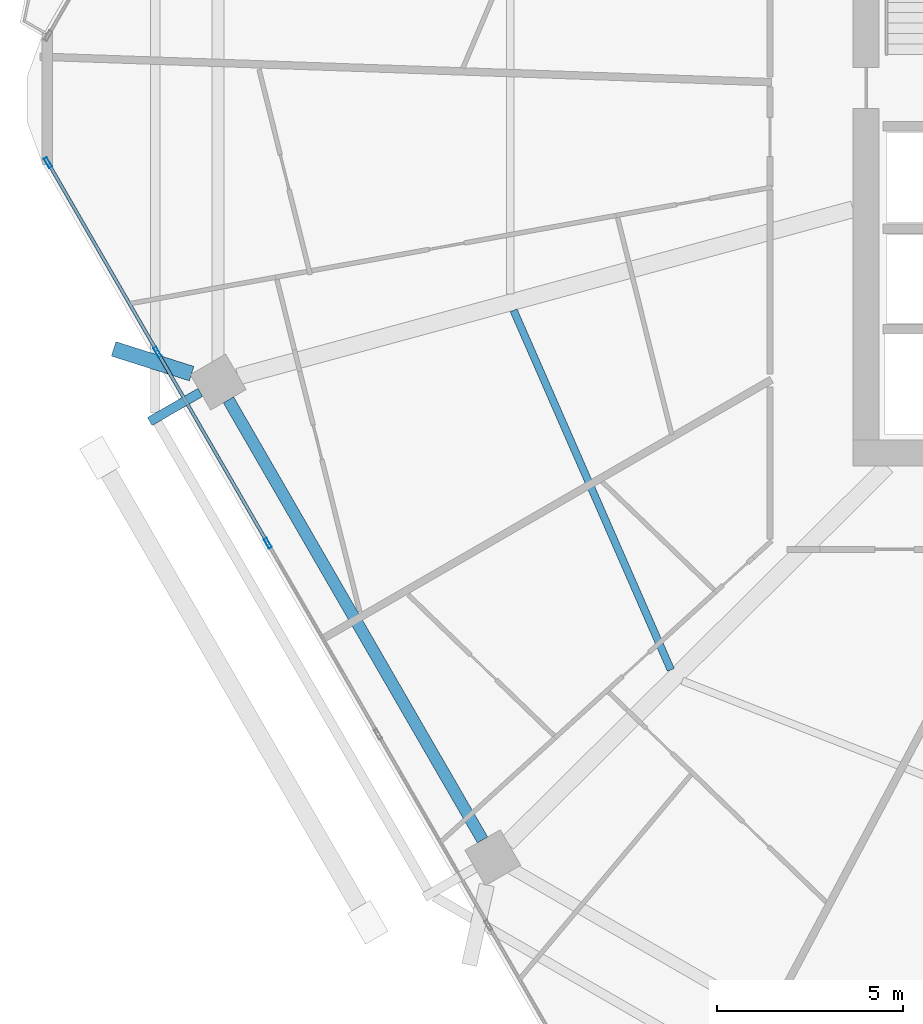
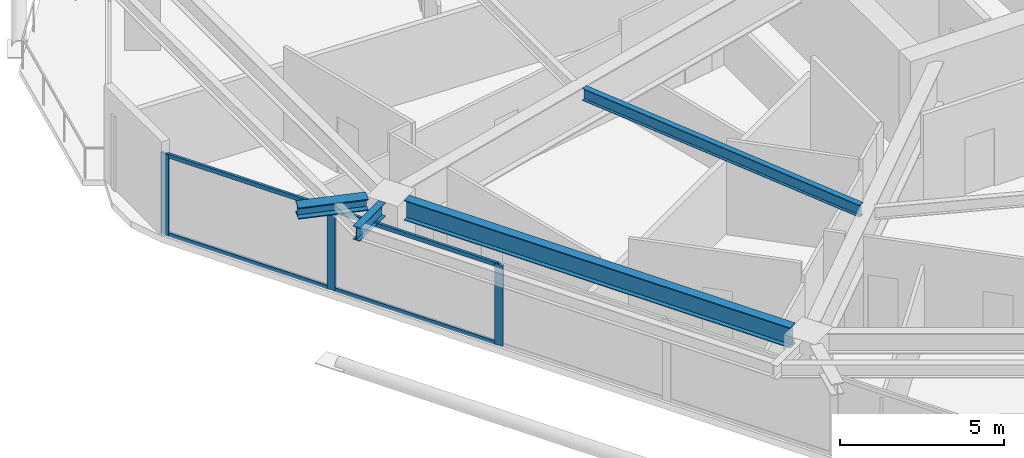
# One storey, part 5 of 33: 7 members, 4 beams, 1 element without a shape of its own.
"""IFC4 building model written with IfcOpenShell, lengths in metres."""

from ifc_helpers import new_model, si_unit, direction, frame, origin, origin_2d, place, context, subcontext, project, spatial, hollow_rectangle, i_section, extrude, material, material_profile, profile_set, type_object, element, aggregate, save


model = new_model("IFC4")

# Units and contexts
model_context = context("Model", 3, precision=1e-05, world=origin(), true_north=direction((0.0, 1.0)))
body_context = subcontext(model_context, "Body", "Model", "MODEL_VIEW")
ifc_project = project(units=[si_unit("LENGTHUNIT", "METRE"), si_unit("AREAUNIT", "SQUARE_METRE"), si_unit("VOLUMEUNIT", "CUBIC_METRE"), si_unit("PLANEANGLEUNIT", "RADIAN"), si_unit("MASSUNIT", "GRAM", prefix="KILO")], contexts=[model_context])

# Site, building, storey
site_placement = place(None, origin())
site = spatial("IfcSite", under=ifc_project, at=site_placement, CompositionType="ELEMENT")
building_placement = place(site_placement, origin())
building = spatial("IfcBuilding", under=site, at=building_placement, Name="Zuhravey Tower", CompositionType="ELEMENT")
storey_placement = place(building_placement, frame((0.0, 0.0, 141.800048828125)))
storey = spatial("IfcBuildingStorey", under=building, at=storey_placement, Name="L35", CompositionType="ELEMENT", Elevation=141.800048828125)

# Curtain wall, members
ifc_material_1 = material(Name="Thermally broken anodised aluminium", Category="aluminium")
curtain_wall_type = type_object("IfcCurtainWallType", Name="Zone 1-2 Residential Curtain Wall CW3", PredefinedType="NOTDEFINED", material=ifc_material_1)
curtain_wall_placement = place(storey_placement, origin())
curtain_wall = element("IfcCurtainWall", 1, at=curtain_wall_placement, inside=storey, type_object=curtain_wall_type, Name="L35 CW3 CW-L35-F4-1", PredefinedType="NOTDEFINED")
ifc_material_2 = material(Name="Anodised aluminium", Category="aluminium")
ifc_material_profile_1 = material_profile(ifc_material_2, hollow_rectangle(XDim=0.090087890625, YDim=0.284912109375, WallThickness=0.0048828125, at=origin_2d()), Name="ALU-RHS-90x285x5")
ifc_profile_set_1 = profile_set([ifc_material_profile_1], Name="Anodised aluminium")
member_type_1 = type_object("IfcMemberType", Name="Curtain-Wall Mullion 90x180", PredefinedType="MULLION", material=ifc_profile_set_1)
member_1_placement = place(storey_placement, frame((9.44140625, 20.083984375, 0.0), z_axis=(0.0, 0.0, 1.0), x_axis=(-0.86602552265, -0.499999794119, 0.0)))
member_1 = element("IfcMember", 2, at=member_1_placement, type_object=member_type_1, Name="CW3 mullion 4", PredefinedType="MULLION", context=body_context, shape_type="SweptSolid", body=[
    extrude(hollow_rectangle(XDim=0.090087890625, YDim=0.284912109375, WallThickness=0.0048828125, at=origin_2d()), origin(), (0.0, 0.0, 1.0), 3.02001953125),
])
member_2_placement = place(storey_placement, frame((6.4814453125, 25.210693359375, 0.0), z_axis=(0.0, 0.0, 1.0), x_axis=(-0.86602552265, -0.499999794119, 0.0)))
member_2 = element("IfcMember", 3, at=member_2_placement, type_object=member_type_1, Name="CW3 mullion 5", PredefinedType="MULLION", context=body_context, shape_type="SweptSolid", body=[
    extrude(hollow_rectangle(XDim=0.090087890625, YDim=0.284912109375, WallThickness=0.0048828125, at=origin_2d()), origin(), (0.0, 0.0, 1.0), 3.02001953125),
])
member_3_placement = place(storey_placement, frame((3.5439453125, 30.298583984375, 0.0), z_axis=(0.0, 0.0, 1.0), x_axis=(-0.86602552265, -0.499999794119, 0.0)))
member_3 = element("IfcMember", 4, at=member_3_placement, type_object=member_type_1, Name="CW3 mullion 6", PredefinedType="MULLION", context=body_context, shape_type="SweptSolid", body=[
    extrude(hollow_rectangle(XDim=0.090087890625, YDim=0.284912109375, WallThickness=0.0048828125, at=origin_2d()), origin(), (0.0, 0.0, 1.0), 3.02001953125),
])
ifc_material_profile_2 = material_profile(ifc_material_2, hollow_rectangle(XDim=0.090087890625, YDim=0.14990234375, WallThickness=0.0048828125, at=origin_2d()), Name="ALU-RHS-90x150x5")
ifc_profile_set_2 = profile_set([ifc_material_profile_2], Name="Anodised aluminium")
member_type_2 = type_object("IfcMemberType", Name="Curtain-Wall Transom 90x150", PredefinedType="USERDEFINED", material=ifc_profile_set_2)
member_4_placement = place(storey_placement, frame((9.418701171875, 20.123046875, 0.044921875), z_axis=(-0.499981042766, 0.866036348472, 0.0), x_axis=(-0.866036348472, -0.499981042766, 0.0)))
member_4 = element("IfcMember", 5, at=member_4_placement, type_object=member_type_2, Name="CW3 transom 4.1", ObjectType="TRANSOM", PredefinedType="USERDEFINED", context=body_context, shape_type="SweptSolid", body=[
    extrude(hollow_rectangle(XDim=0.090087890625, YDim=0.14990234375, WallThickness=0.0048828125, at=origin_2d()), origin(), (0.0, 0.0, 1.0), 5.829833984375),
])
member_5_placement = place(storey_placement, frame((9.418701171875, 20.123046875, 2.974853515625), z_axis=(-0.499981042766, 0.866036348472, 0.0), x_axis=(-0.866036348472, -0.499981042766, 0.0)))
member_5 = element("IfcMember", 6, at=member_5_placement, type_object=member_type_2, Name="CW3 transom 4.2", ObjectType="TRANSOM", PredefinedType="USERDEFINED", context=body_context, shape_type="SweptSolid", body=[
    extrude(hollow_rectangle(XDim=0.090087890625, YDim=0.14990234375, WallThickness=0.0048828125, at=origin_2d()), origin(), (0.0, 0.0, 1.0), 5.829833984375),
])
member_6_placement = place(storey_placement, frame((6.458984375, 25.249755859375, 0.044921875), z_axis=(-0.500024450573, 0.866011286779, 0.0), x_axis=(-0.866011286779, -0.500024450573, 0.0)))
member_6 = element("IfcMember", 7, at=member_6_placement, type_object=member_type_2, Name="CW3 transom 5.1", ObjectType="TRANSOM", PredefinedType="USERDEFINED", context=body_context, shape_type="SweptSolid", body=[
    extrude(hollow_rectangle(XDim=0.090087890625, YDim=0.14990234375, WallThickness=0.0048828125, at=origin_2d()), origin(), (0.0, 0.0, 1.0), 5.784912109375),
])
member_7_placement = place(storey_placement, frame((6.458984375, 25.249755859375, 2.974853515625), z_axis=(-0.500024450573, 0.866011286779, 0.0), x_axis=(-0.866011286779, -0.500024450573, 0.0)))
member_7 = element("IfcMember", 8, at=member_7_placement, type_object=member_type_2, Name="CW3 transom 5.2", ObjectType="TRANSOM", PredefinedType="USERDEFINED", context=body_context, shape_type="SweptSolid", body=[
    extrude(hollow_rectangle(XDim=0.090087890625, YDim=0.14990234375, WallThickness=0.0048828125, at=origin_2d()), origin(), (0.0, 0.0, 1.0), 5.784912109375),
])
aggregate(curtain_wall, [member_1, member_2, member_3, member_4, member_5, member_6, member_7])

# Beams
ifc_material_3 = material(Name="Steel SM460", Category="steel")
ifc_material_profile_3 = material_profile(ifc_material_3, i_section(OverallWidth=0.406982421875, OverallDepth=0.427978515625, WebThickness=0.02001953125, FlangeThickness=0.034912109375, at=origin_2d()), Name="H-428x407x20x35")
ifc_profile_set_3 = profile_set([ifc_material_profile_3], Name="Steel SM460")
beam_type_1 = type_object("IfcBeamType", Name="Exoskeleton Node Tie Beam H428x407", PredefinedType="BEAM", material=ifc_profile_set_3)
beam_1_placement = place(storey_placement, frame((7.397216796875, 24.634765625, 3.305908203125), z_axis=(-0.953124267145, 0.302579132427, 0.0), x_axis=(-0.302579132427, -0.953124267145, 0.0)))
element("IfcBeam", 9, at=beam_1_placement, inside=storey, type_object=beam_type_1, Name="L35 Exoskeleton Node Tie NT1-07", PredefinedType="BEAM", context=body_context, shape_type="SweptSolid", body=[
    extrude(i_section(OverallWidth=0.406982421875, OverallDepth=0.427978515625, WebThickness=0.02001953125, FlangeThickness=0.034912109375, at=origin_2d()), origin(), (0.0, 0.0, 1.0), 2.194580078125),
])
ifc_material_4 = material(Name="Steel SM355", Category="steel")
ifc_material_profile_4 = material_profile(ifc_material_4, i_section(OverallWidth=0.320068359375, OverallDepth=0.75, WebThickness=0.013916015625, FlangeThickness=0.02490234375, at=origin_2d()), Name="H-750x320x14x25")
ifc_profile_set_4 = profile_set([ifc_material_profile_4], Name="Steel SM355")
beam_type_2 = type_object("IfcBeamType", Name="Perimeter Ring Beam H750x320", PredefinedType="BEAM", material=ifc_profile_set_4)
beam_2_placement = place(storey_placement, frame((8.387451171875, 23.929443359375, 3.14501953125), z_axis=(0.500008177929, -0.866020682204, 0.0), x_axis=(0.866020682204, 0.500008177929, 0.0)))
element("IfcBeam", 10, at=beam_2_placement, inside=storey, type_object=beam_type_2, Name="L35 PB1 BM-L35-PB-07", PredefinedType="BEAM", context=body_context, shape_type="SweptSolid", body=[
    extrude(i_section(OverallWidth=0.320068359375, OverallDepth=0.75, WebThickness=0.013916015625, FlangeThickness=0.02490234375, at=origin_2d()), origin(), (0.0, 0.0, 1.0), 13.634033203125),
])
ifc_material_profile_5 = material_profile(ifc_material_4, i_section(OverallWidth=0.199951171875, OverallDepth=0.449951171875, WebThickness=0.009033203125, FlangeThickness=0.013916015625, at=origin_2d()), Name="H-450x200x9x14")
ifc_profile_set_5 = profile_set([ifc_material_profile_5], Name="Steel SM355")
beam_type_3 = type_object("IfcBeamType", Name="Secondary Floor Joist H450x200", PredefinedType="JOIST", material=ifc_profile_set_5)
beam_3_placement = place(storey_placement, frame((16.039306640625, 26.331787109375, 3.294921875), z_axis=(0.400792074999, -0.916169041508, 0.0), x_axis=(0.916169041508, 0.400792074999, 0.0)))
element("IfcBeam", 11, at=beam_3_placement, inside=storey, type_object=beam_type_3, Name="L35 SJ1 BM-L35-SJ-07-1", PredefinedType="JOIST", context=body_context, shape_type="SweptSolid", body=[
    extrude(i_section(OverallWidth=0.199951171875, OverallDepth=0.449951171875, WebThickness=0.009033203125, FlangeThickness=0.013916015625, at=origin_2d()), origin(), (0.0, 0.0, 1.0), 10.52978515625),
])
ifc_material_profile_6 = material_profile(ifc_material_4, i_section(OverallWidth=0.25, OverallDepth=0.5, WebThickness=0.010009765625, FlangeThickness=0.01611328125, at=origin_2d()), Name="H-500x250x10x16")
ifc_profile_set_6 = profile_set([ifc_material_profile_6], Name="Steel SM355")
beam_type_4 = type_object("IfcBeamType", Name="Tray Cantilever Spandrel H500x250", PredefinedType="SPANDREL", material=ifc_profile_set_6)
beam_4_placement = place(storey_placement, frame((7.631103515625, 24.13134765625, 3.27001953125), z_axis=(-0.86603760523, -0.499978865881, 0.0), x_axis=(0.499978865881, -0.86603760523, 0.0)))
element("IfcBeam", 12, at=beam_4_placement, inside=storey, type_object=beam_type_4, Name="L35 Sky-Tray Cantilever Arm TSB1-R07", PredefinedType="SPANDREL", context=body_context, shape_type="SweptSolid", body=[
    extrude(i_section(OverallWidth=0.25, OverallDepth=0.5, WebThickness=0.010009765625, FlangeThickness=0.01611328125, at=origin_2d()), origin(), (0.0, 0.0, 1.0), 1.56591796875),
])

save(model, "model.ifc")
